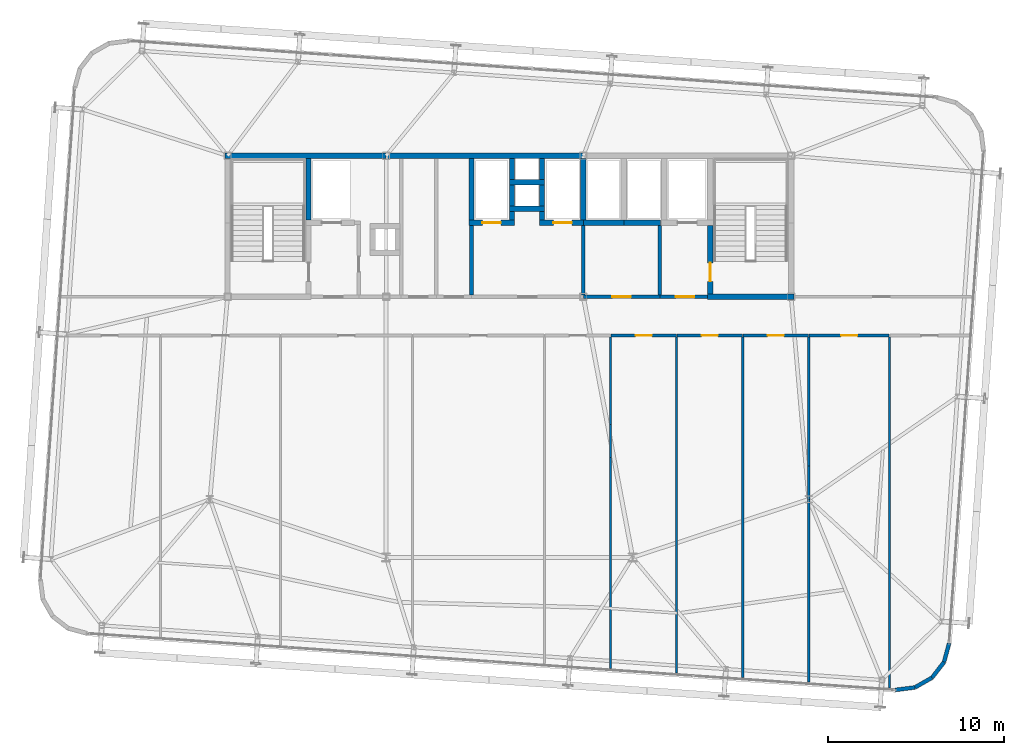
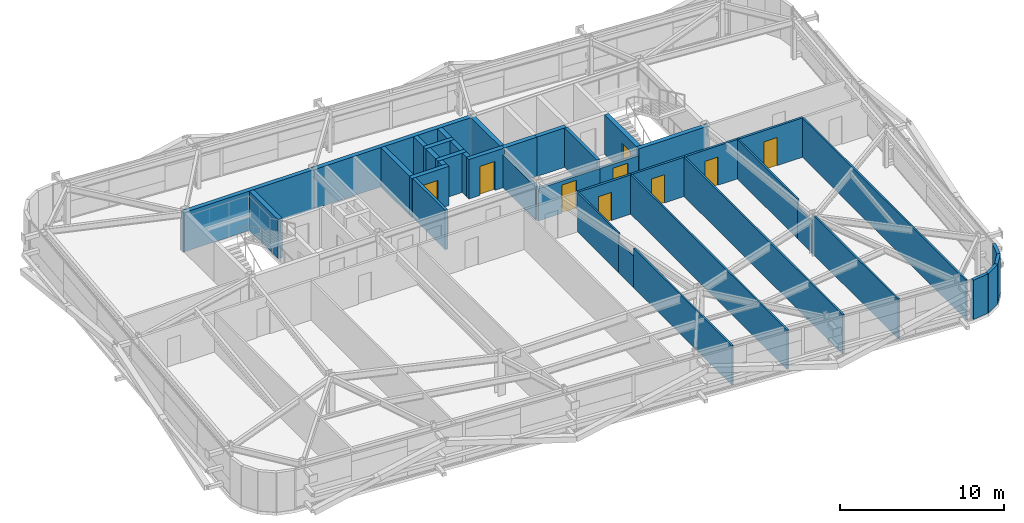
# One storey, part 36 of 39: 41 walls, 9 doors, 9 openings.
"""IFC4 building model written with IfcOpenShell, lengths in metres."""

from ifc_helpers import new_model, si_unit, direction, frame, frame_2d, origin, place, context, subcontext, project, spatial, rectangle, extrude, source, transform, mapped, material, layer, layer_set, type_object, element, fill, save


model = new_model("IFC4")

# Units and contexts
model_context = context("Model", 3, precision=1e-05, world=origin(), true_north=direction((0.0, 1.0)))
body_context = subcontext(model_context, "Body", "Model", "MODEL_VIEW")
ifc_project = project(units=[si_unit("LENGTHUNIT", "METRE"), si_unit("AREAUNIT", "SQUARE_METRE"), si_unit("VOLUMEUNIT", "CUBIC_METRE"), si_unit("PLANEANGLEUNIT", "RADIAN"), si_unit("MASSUNIT", "GRAM", prefix="KILO")], contexts=[model_context])

# Site, building, storey
site_placement = place(None, origin())
site = spatial("IfcSite", under=ifc_project, at=site_placement, CompositionType="ELEMENT")
building_placement = place(site_placement, origin())
building = spatial("IfcBuilding", under=site, at=building_placement, Name="Taldren Reach Tower", CompositionType="ELEMENT")
storey_placement = place(building_placement, frame((0.0, 0.0, 133.0)))
storey = spatial("IfcBuildingStorey", under=building, at=storey_placement, Name="L40", CompositionType="ELEMENT", Elevation=133.0)

# Walls
ifc_material_1 = material(Name="Pale Champagne Anodised Aluminium Cladding", Category="aluminium")
ifc_layer_1 = layer(ifc_material_1, 0.04, Name="Pale Champagne Anodised Aluminium Cladding", Category="aluminium")
ifc_material_2 = material(Name="Mineral Wool Acoustic Insulation", Category="insulation")
ifc_layer_2 = layer(ifc_material_2, 0.06, Name="Mineral Wool Acoustic Insulation", Category="insulation")
ifc_material_3 = material(Name="Steel Gr 350 (C350L0)", Category="steel")
ifc_layer_3 = layer(ifc_material_3, 0.12, Name="Steel Gr 350 (C350L0)", Category="steel")
ifc_layer_set_1 = layer_set([ifc_layer_1, ifc_layer_2, ifc_layer_3], Name="Pale Champagne Aluminium Cladding and Steel Gr 350 Stud Framing")
wall_type_1 = type_object("IfcWallType", Name="EW-CRN-220", PredefinedType="SOLIDWALL", material=ifc_layer_set_1)
shared_shape_1 = source(origin(), body_context, "Body", "SweptSolid", [
    extrude(rectangle(XDim=1.115966796875, YDim=0.219970703125, at=frame_2d((0.55810546875, 0.0))), origin(), (0.0, 0.0, 1.0), 2.929931640625),
])
for number, where, z_axis, x_axis, name in (
    (1, (58.02490234375, 1.8173828125, 0.0), (0.0, 0.0, 1.0), (0.868095010314, 0.496398079235, 0.0), "Rounded-corner pale-metal facade wall L40-SE2"),
    (2, (58.99365234375, 2.371337890625, 0.0), (0.0, 0.0, 1.0), (0.612318787668, 0.790610967714, 0.0), "Rounded-corner pale-metal facade wall L40-SE3"),
    (3, (59.677001953125, 3.253662109375, 0.0), (0.0, 0.0, 1.0), (0.262969307856, 0.964804199372, 0.0), "Rounded-corner pale-metal facade wall L40-SE4"),
):
    element("IfcWall", number, at=place(storey_placement, frame(where, z_axis=z_axis, x_axis=x_axis)), inside=storey, type_object=wall_type_1, Name=name, PredefinedType="SOLIDWALL", context=body_context, shape_type="MappedRepresentation", body=[
        mapped(shared_shape_1, transform((0.0, 0.0, 0.0), scale=1.0)),
    ])
shared_shape_2 = source(origin(), body_context, "Body", "SweptSolid", [
    extrude(rectangle(XDim=1.11572265625, YDim=0.219970703125, at=frame_2d((0.557861328125, 0.0))), origin(), (0.0, 0.0, 1.0), 2.929931640625),
])
wall_1_placement = place(storey_placement, frame((56.91796875, 1.6767578125, 0.0), z_axis=(0.0, 0.0, 1.0), x_axis=(0.99202678349, 0.126027222605, 0.0)))
element("IfcWall", 4, at=wall_1_placement, inside=storey, type_object=wall_type_1, Name="Rounded-corner pale-metal facade wall L40-SE1", PredefinedType="SOLIDWALL", context=body_context, shape_type="MappedRepresentation", body=[
    mapped(shared_shape_2, transform((0.0, 0.0, 0.0), scale=1.0)),
])

# Wall, opening, door
ifc_material_4 = material(Name="Concrete S50 (50 MPa)", Category="concrete")
ifc_layer_4 = layer(ifc_material_4, 0.199951171875)
ifc_layer_set_2 = layer_set([ifc_layer_4], Name="Concrete S50 (50 MPa)")
wall_type_2 = type_object("IfcWallType", Name="IW-CORE-200", PredefinedType="SOLIDWALL", material=ifc_layer_set_2)
shared_shape_3 = source(origin(), body_context, "Body", "SweptSolid", [
    extrude(rectangle(XDim=4.35009765625, YDim=0.199951171875, at=frame_2d((2.175048828125, 0.0))), origin(), (0.0, 0.0, 1.0), 2.39697265625),
])
wall_2_placement = place(storey_placement, frame((43.550048828125, 24.0, 0.0), z_axis=(0.0, 0.0, 1.0), x_axis=(-1.0, 0.0, 0.0)))
wall_2 = element("IfcWall", 5, at=wall_2_placement, inside=storey, type_object=wall_type_2, Name="Rear Core Shear Wall W-INT-L40-041", PredefinedType="SOLIDWALL", context=body_context, shape_type="MappedRepresentation", body=[
    mapped(shared_shape_3, transform((0.0, 0.0, 0.0), scale=1.0)),
])
shared_shape_4 = source(origin(), body_context, "Body", "SweptSolid", [
    extrude(rectangle(XDim=1.050048828125, YDim=2.10009765625, at=frame_2d((0.52490234375, 1.050048828125))), frame((0.0, 0.10986328125, 0.0), z_axis=(0.0, -1.0, 0.0), x_axis=(1.0, 0.0, 0.0)), (0.0, 0.0, 1.0), 0.219970703125),
])
opening_1_placement = place(wall_2_placement, frame((1.64990234375, 0.0, 0.0)))
opening_1 = element("IfcOpeningElement", 6, at=opening_1_placement, cuts=wall_2, Name="Opening DF-105", PredefinedType="OPENING", context=body_context, shape_type="MappedRepresentation", body=[
    mapped(shared_shape_4, transform((0.0, 0.0, 0.0), scale=1.0)),
])
ifc_material_5 = material(Name="Fire-Rated Care and Stair Exit Door")
door_type_1 = type_object("IfcDoorType", Name="ID-FIRE-105", OperationType="NOTDEFINED", PredefinedType="DOOR", material=ifc_material_5)
shared_shape_5 = source(origin(), body_context, "Body", "SweptSolid", [
    extrude(rectangle(XDim=1.050048828125, YDim=2.10009765625, at=frame_2d((0.52490234375, 1.050048828125))), frame((0.0, 0.02490234375, 0.0), z_axis=(0.0, -1.0, 0.0), x_axis=(1.0, 0.0, 0.0)), (0.0, 0.0, 1.0), 0.050048828125),
])
door_1_placement = place(opening_1_placement, frame((1.050048828125, 0.0, 0.0), z_axis=(0.0, 0.0, 1.0), x_axis=(-1.0, 0.0, 0.0)))
door_1 = element("IfcDoor", 7, at=door_1_placement, inside=storey, type_object=door_type_1, Name="Interior Door DR-L40-008", OperationType="SINGLE_SWING_RIGHT", OverallHeight=2.10009765625, OverallWidth=1.050048828125, PredefinedType="DOOR", context=body_context, shape_type="MappedRepresentation", body=[
    mapped(shared_shape_5, transform((0.0, 0.0, 0.0), scale=1.0)),
])
fill(opening_1, door_1)

# Walls
ifc_material_6 = material(Name="Concrete S65 (65 MPa)", Category="concrete")
ifc_layer_5 = layer(ifc_material_6, 0.300048828125)
ifc_layer_set_3 = layer_set([ifc_layer_5], Name="Concrete S65 (65 MPa)")
wall_type_3 = type_object("IfcWallType", Name="IW-CORE-300", PredefinedType="SHEAR", material=ifc_layer_set_3)
shared_shape_6 = source(origin(), body_context, "Body", "SweptSolid", [
    extrude(rectangle(XDim=9.14990234375, YDim=0.300048828125, at=frame_2d((4.574951171875, 0.0))), origin(), (0.0, 0.0, 1.0), 2.929931640625),
])
wall_3_placement = place(storey_placement, frame((18.85009765625, 32.0, 0.0), z_axis=(0.0, 0.0, 1.0), x_axis=(1.0, 0.0, 0.0)))
element("IfcWall", 8, at=wall_3_placement, inside=storey, type_object=wall_type_3, Name="Rear Core Shear Wall W-CORE-L40-NORTH1", PredefinedType="SHEAR", context=body_context, shape_type="MappedRepresentation", body=[
    mapped(shared_shape_6, transform((0.0, 0.0, 0.0), scale=1.0)),
])
shared_shape_7 = source(origin(), body_context, "Body", "SweptSolid", [
    extrude(rectangle(XDim=11.199951171875, YDim=0.300048828125, at=frame_2d((5.60009765625, 0.0))), origin(), (0.0, 0.0, 1.0), 2.929931640625),
])
wall_4_placement = place(storey_placement, frame((28.0, 32.0, 0.0), z_axis=(0.0, 0.0, 1.0), x_axis=(1.0, 0.0, 0.0)))
element("IfcWall", 9, at=wall_4_placement, inside=storey, type_object=wall_type_3, Name="Rear Core Shear Wall W-CORE-L40-NORTH2", PredefinedType="SHEAR", context=body_context, shape_type="MappedRepresentation", body=[
    mapped(shared_shape_7, transform((0.0, 0.0, 0.0), scale=1.0)),
])
shared_shape_8 = source(origin(), body_context, "Body", "SweptSolid", [
    extrude(rectangle(XDim=3.5, YDim=0.300048828125, at=frame_2d((1.75, 0.0))), origin(), (0.0, 0.0, 1.0), 2.929931640625),
])
for number, where, z_axis, x_axis, name in (
    (10, (23.60009765625, 28.35009765625, 0.0), (0.0, 0.0, 1.0), (0.0, 1.0, 0.0), "Rear Core Shear Wall W-INT-L40-001"),
    (11, (32.85009765625, 31.85009765625, 0.0), (0.0, 0.0, 1.0), (0.0, -1.0, 0.0), "Rear Core Shear Wall W-INT-L40-026"),
    (12, (39.199951171875, 28.35009765625, 0.0), (0.0, 0.0, 1.0), (0.0, 1.0, 0.0), "Rear Core Shear Wall W-INT-L40-029"),
):
    element("IfcWall", number, at=place(storey_placement, frame(where, z_axis=z_axis, x_axis=x_axis)), inside=storey, type_object=wall_type_3, Name=name, PredefinedType="SHEAR", context=body_context, shape_type="MappedRepresentation", body=[
        mapped(shared_shape_8, transform((0.0, 0.0, 0.0), scale=1.0)),
    ])

# Wall, opening, door
shared_shape_9 = source(origin(), body_context, "Body", "SweptSolid", [
    extrude(rectangle(XDim=3.900146484375, YDim=0.300048828125, at=frame_2d((1.9501953125, 0.0))), origin(), (0.0, 0.0, 1.0), 2.929931640625),
])
wall_5_placement = place(storey_placement, frame((46.39990234375, 28.050048828125, 0.0), z_axis=(0.0, 0.0, 1.0), x_axis=(0.0, -1.0, 0.0)))
wall_5 = element("IfcWall", 13, at=wall_5_placement, inside=storey, type_object=wall_type_3, Name="Rear Core Shear Wall W-INT-L40-008", PredefinedType="SHEAR", context=body_context, shape_type="MappedRepresentation", body=[
    mapped(shared_shape_9, transform((0.0, 0.0, 0.0), scale=1.0)),
])
shared_shape_10 = source(origin(), body_context, "Body", "SweptSolid", [
    extrude(rectangle(XDim=1.050048828125, YDim=2.10009765625, at=frame_2d((0.52490234375, 1.050048828125))), frame((0.0, 0.16015625, 0.0), z_axis=(0.0, -1.0, 0.0), x_axis=(1.0, 0.0, 0.0)), (0.0, 0.0, 1.0), 0.320068359375),
])
opening_2_placement = place(wall_5_placement, frame((2.125, 0.0, 0.0)))
opening_2 = element("IfcOpeningElement", 14, at=opening_2_placement, cuts=wall_5, Name="Opening DF-105", PredefinedType="OPENING", context=body_context, shape_type="MappedRepresentation", body=[
    mapped(shared_shape_10, transform((0.0, 0.0, 0.0), scale=1.0)),
])
door_2_placement = place(opening_2_placement, origin())
door_2 = element("IfcDoor", 15, at=door_2_placement, inside=storey, type_object=door_type_1, Name="Fire Exit Stair Door DR-L40-003", OperationType="SINGLE_SWING_RIGHT", OverallHeight=2.10009765625, OverallWidth=1.050048828125, PredefinedType="DOOR", context=body_context, shape_type="MappedRepresentation", body=[
    mapped(shared_shape_5, transform((0.0, 0.0, 0.0), scale=1.0)),
])
fill(opening_2, door_2)

# Walls
shared_shape_11 = source(origin(), body_context, "Body", "SweptSolid", [
    extrude(rectangle(XDim=4.89990234375, YDim=0.300048828125, at=frame_2d((2.449951171875, 0.0))), origin(), (0.0, 0.0, 1.0), 2.929931640625),
])
wall_6_placement = place(storey_placement, frame((46.25, 24.0, 0.0), z_axis=(0.0, 0.0, 1.0), x_axis=(1.0, 0.0, 0.0)))
element("IfcWall", 16, at=wall_6_placement, inside=storey, type_object=wall_type_3, Name="Rear Core Shear Wall W-INT-L40-009", PredefinedType="SHEAR", context=body_context, shape_type="MappedRepresentation", body=[
    mapped(shared_shape_11, transform((0.0, 0.0, 0.0), scale=1.0)),
])
shared_shape_12 = source(origin(), body_context, "Body", "SweptSolid", [
    extrude(rectangle(XDim=3.949951171875, YDim=0.199951171875, at=frame_2d((1.97509765625, 0.0))), origin(), (0.0, 0.0, 1.0), 2.929931640625),
])
for number, where, z_axis, x_axis, name in (
    (17, (43.550048828125, 28.050048828125, 0.0), (0.0, 0.0, 1.0), (0.0, -1.0, 0.0), "Rear Core Shear Wall W-INT-L40-012"),
    (18, (32.85009765625, 24.10009765625, 0.0), (0.0, 0.0, 1.0), (0.0, 1.0, 0.0), "Rear Core Shear Wall W-INT-L40-030"),
):
    element("IfcWall", number, at=place(storey_placement, frame(where, z_axis=z_axis, x_axis=x_axis)), inside=storey, type_object=wall_type_2, Name=name, PredefinedType="SOLIDWALL", context=body_context, shape_type="MappedRepresentation", body=[
        mapped(shared_shape_12, transform((0.0, 0.0, 0.0), scale=1.0)),
    ])

# Wall, opening, door
shared_shape_13 = source(origin(), body_context, "Body", "SweptSolid", [
    extrude(rectangle(XDim=2.699951171875, YDim=0.199951171875, at=frame_2d((1.35009765625, 0.0))), origin(), (0.0, 0.0, 1.0), 2.39697265625),
])
wall_7_placement = place(storey_placement, frame((43.550048828125, 24.0, 0.0), z_axis=(0.0, 0.0, 1.0), x_axis=(1.0, 0.0, 0.0)))
wall_7 = element("IfcWall", 19, at=wall_7_placement, inside=storey, type_object=wall_type_2, Name="Rear Core Shear Wall W-INT-L40-013", PredefinedType="SOLIDWALL", context=body_context, shape_type="MappedRepresentation", body=[
    mapped(shared_shape_13, transform((0.0, 0.0, 0.0), scale=1.0)),
])
opening_3_placement = place(wall_7_placement, frame((0.89990234375, 0.0, 0.0)))
opening_3 = element("IfcOpeningElement", 20, at=opening_3_placement, cuts=wall_7, Name="Opening DF-105", PredefinedType="OPENING", context=body_context, shape_type="MappedRepresentation", body=[
    mapped(shared_shape_4, transform((0.0, 0.0, 0.0), scale=1.0)),
])
door_3_placement = place(opening_3_placement, origin())
door_3 = element("IfcDoor", 21, at=door_3_placement, inside=storey, type_object=door_type_1, Name="Interior Door DR-L40-004", OperationType="SINGLE_SWING_LEFT", OverallHeight=2.10009765625, OverallWidth=1.050048828125, PredefinedType="DOOR", context=body_context, shape_type="MappedRepresentation", body=[
    mapped(shared_shape_5, transform((0.0, 0.0, 0.0), scale=1.0)),
])
fill(opening_3, door_3)

# Walls
shared_shape_14 = source(origin(), body_context, "Body", "SweptSolid", [
    extrude(rectangle(XDim=2.0, YDim=0.300048828125, at=frame_2d((1.0, 0.0))), origin(), (0.0, 0.0, 1.0), 2.929931640625),
])
for number, where, z_axis, x_axis, name in (
    (22, (35.0, 30.5, 0.0), (0.0, 0.0, 1.0), (1.0, 0.0, 0.0), "Rear Core Shear Wall W-INT-L40-014"),
    (23, (35.0, 29.0, 0.0), (0.0, 0.0, 1.0), (1.0, 0.0, 0.0), "Rear Core Shear Wall W-INT-L40-019"),
):
    element("IfcWall", number, at=place(storey_placement, frame(where, z_axis=z_axis, x_axis=x_axis)), inside=storey, type_object=wall_type_3, Name=name, PredefinedType="SHEAR", context=body_context, shape_type="MappedRepresentation", body=[
        mapped(shared_shape_14, transform((0.0, 0.0, 0.0), scale=1.0)),
    ])
shared_shape_15 = source(origin(), body_context, "Body", "SweptSolid", [
    extrude(rectangle(XDim=1.2001953125, YDim=0.300048828125, at=frame_2d((0.60009765625, 0.0))), origin(), (0.0, 0.0, 1.0), 2.929931640625),
])
for number, where, z_axis, x_axis, name in (
    (24, (35.14990234375, 31.85009765625, 0.0), (0.0, 0.0, 1.0), (0.0, -1.0, 0.0), "Rear Core Shear Wall W-INT-L40-015"),
    (25, (36.85009765625, 30.64990234375, 0.0), (0.0, 0.0, 1.0), (0.0, 1.0, 0.0), "Rear Core Shear Wall W-INT-L40-016"),
    (26, (35.14990234375, 30.35009765625, 0.0), (0.0, 0.0, 1.0), (0.0, -1.0, 0.0), "Rear Core Shear Wall W-INT-L40-017"),
    (27, (36.85009765625, 29.14990234375, 0.0), (0.0, 0.0, 1.0), (0.0, 1.0, 0.0), "Rear Core Shear Wall W-INT-L40-018"),
):
    element("IfcWall", number, at=place(storey_placement, frame(where, z_axis=z_axis, x_axis=x_axis)), inside=storey, type_object=wall_type_3, Name=name, PredefinedType="SHEAR", context=body_context, shape_type="MappedRepresentation", body=[
        mapped(shared_shape_15, transform((0.0, 0.0, 0.0), scale=1.0)),
    ])
shared_shape_16 = source(origin(), body_context, "Body", "SweptSolid", [
    extrude(rectangle(XDim=2.070068359375, YDim=0.300048828125, at=frame_2d((1.03515625, 0.0))), origin(), (0.0, 0.0, 1.0), 2.929931640625),
])
wall_8_placement = place(storey_placement, frame((41.5, 28.199951171875, 0.0), z_axis=(0.0, 0.0, 1.0), x_axis=(1.0, 0.0, 0.0)))
element("IfcWall", 28, at=wall_8_placement, inside=storey, type_object=wall_type_3, Name="Rear Core Shear Wall W-INT-L40-035", PredefinedType="SHEAR", context=body_context, shape_type="MappedRepresentation", body=[
    mapped(shared_shape_16, transform((0.0, 0.0, 0.0), scale=1.0)),
])
shared_shape_17 = source(origin(), body_context, "Body", "SweptSolid", [
    extrude(rectangle(XDim=0.5, YDim=0.300048828125, at=frame_2d((0.25, 0.0))), origin(), (0.0, 0.0, 1.0), 2.929931640625),
])
for number, where, z_axis, x_axis, name in (
    (29, (35.14990234375, 28.35009765625, 0.0), (0.0, 0.0, 1.0), (0.0, 1.0, 0.0), "Rear Core Shear Wall W-INT-L40-025"),
    (30, (36.85009765625, 28.85009765625, 0.0), (0.0, 0.0, 1.0), (0.0, -1.0, 0.0), "Rear Core Shear Wall W-INT-L40-028"),
):
    element("IfcWall", number, at=place(storey_placement, frame(where, z_axis=z_axis, x_axis=x_axis)), inside=storey, type_object=wall_type_3, Name=name, PredefinedType="SHEAR", context=body_context, shape_type="MappedRepresentation", body=[
        mapped(shared_shape_17, transform((0.0, 0.0, 0.0), scale=1.0)),
    ])

# Wall, opening, door
shared_shape_18 = source(origin(), body_context, "Body", "SweptSolid", [
    extrude(rectangle(XDim=2.60009765625, YDim=0.300048828125, at=frame_2d((1.300048828125, 0.0))), origin(), (0.0, 0.0, 1.0), 2.929931640625),
])
wall_9_placement = place(storey_placement, frame((32.699951171875, 28.199951171875, 0.0), z_axis=(0.0, 0.0, 1.0), x_axis=(1.0, 0.0, 0.0)))
wall_9 = element("IfcWall", 31, at=wall_9_placement, inside=storey, type_object=wall_type_3, Name="Rear Core Shear Wall W-INT-L40-024", PredefinedType="SHEAR", context=body_context, shape_type="MappedRepresentation", body=[
    mapped(shared_shape_18, transform((0.0, 0.0, 0.0), scale=1.0)),
])
shared_shape_19 = source(origin(), body_context, "Body", "SweptSolid", [
    extrude(rectangle(XDim=1.050048828125, YDim=2.14990234375, at=frame_2d((0.52490234375, 1.074951171875))), frame((0.0, 0.16015625, 0.0), z_axis=(0.0, -1.0, 0.0), x_axis=(1.0, 0.0, 0.0)), (0.0, 0.0, 1.0), 0.320068359375),
])
opening_4_placement = place(wall_9_placement, frame((0.77490234375, 0.0, 0.0)))
opening_4 = element("IfcOpeningElement", 32, at=opening_4_placement, cuts=wall_9, Name="Opening LD-PM1", PredefinedType="OPENING", context=body_context, shape_type="MappedRepresentation", body=[
    mapped(shared_shape_19, transform((0.0, 0.0, 0.0), scale=1.0)),
])
ifc_material_7 = material(Name="Stainless Steel Gr 316 Passenger Lift Landing Door", Category="steel")
door_type_2 = type_object("IfcDoorType", Name="LD-PAS-105", OperationType="SLIDING_TO_LEFT", PredefinedType="DOOR", material=ifc_material_7)
shared_shape_20 = source(origin(), body_context, "Body", "SweptSolid", [
    extrude(rectangle(XDim=1.050048828125, YDim=2.14990234375, at=frame_2d((0.52490234375, 1.074951171875))), frame((0.0, 0.02490234375, 0.0), z_axis=(0.0, -1.0, 0.0), x_axis=(1.0, 0.0, 0.0)), (0.0, 0.0, 1.0), 0.050048828125),
])
door_4_placement = place(opening_4_placement, origin())
door_4 = element("IfcDoor", 33, at=door_4_placement, inside=storey, type_object=door_type_2, Name="Lift Landing Door LD-PM1-L40", OperationType="SLIDING_TO_LEFT", OverallHeight=2.14990234375, OverallWidth=1.050048828125, PredefinedType="DOOR", context=body_context, shape_type="MappedRepresentation", body=[
    mapped(shared_shape_20, transform((0.0, 0.0, 0.0), scale=1.0)),
])
fill(opening_4, door_4)

ifc_material_8 = material(Name="Fire-Rated Acoustic Plasterboard Stud Wall", Category="gypsum")
ifc_layer_6 = layer(ifc_material_8, 0.159912109375)
ifc_layer_set_4 = layer_set([ifc_layer_6], Name="Fire-Rated Acoustic Plasterboard Stud Wall")
wall_type_4 = type_object("IfcWallType", Name="IW-FIRE-160", PredefinedType="PARTITIONING", material=ifc_layer_set_4)
shared_shape_21 = source(origin(), body_context, "Body", "SweptSolid", [
    extrude(rectangle(XDim=3.70947265625, YDim=0.159912109375, at=frame_2d((1.854736328125, 0.0))), origin(), (0.0, 0.0, 1.0), 2.929931640625),
])
wall_10_placement = place(storey_placement, frame((44.479736328125, 21.800048828125, 0.0), z_axis=(0.0, 0.0, 1.0), x_axis=(-1.0, 0.0, 0.0)))
wall_10 = element("IfcWall", 34, at=wall_10_placement, inside=storey, type_object=wall_type_4, Name="Interior Partition Wall W-INT-L40-047", PredefinedType="PARTITIONING", context=body_context, shape_type="MappedRepresentation", body=[
    mapped(shared_shape_21, transform((0.0, 0.0, 0.0), scale=1.0)),
])
shared_shape_22 = source(origin(), body_context, "Body", "SweptSolid", [
    extrude(rectangle(XDim=0.919921875, YDim=2.10009765625, at=frame_2d((0.4599609375, 1.050048828125))), frame((0.0, 0.08984375, 0.0), z_axis=(0.0, -1.0, 0.0), x_axis=(1.0, 0.0, 0.0)), (0.0, 0.0, 1.0), 0.179931640625),
])
opening_5_placement = place(wall_10_placement, frame((1.394775390625, 0.0, 0.0)))
opening_5 = element("IfcOpeningElement", 35, at=opening_5_placement, cuts=wall_10, Name="Opening DI-092", PredefinedType="OPENING", context=body_context, shape_type="MappedRepresentation", body=[
    mapped(shared_shape_22, transform((0.0, 0.0, 0.0), scale=1.0)),
])
ifc_material_9 = material(Name="Solid-Core Timber Suite Door", Category="wood")
door_type_3 = type_object("IfcDoorType", Name="ID-INT-092", OperationType="NOTDEFINED", PredefinedType="DOOR", material=ifc_material_9)
shared_shape_23 = source(origin(), body_context, "Body", "SweptSolid", [
    extrude(rectangle(XDim=0.919921875, YDim=2.10009765625, at=frame_2d((0.4599609375, 1.050048828125))), frame((0.0, 0.02490234375, 0.0), z_axis=(0.0, -1.0, 0.0), x_axis=(1.0, 0.0, 0.0)), (0.0, 0.0, 1.0), 0.050048828125),
])
door_5_placement = place(opening_5_placement, origin())
door_5 = element("IfcDoor", 36, at=door_5_placement, inside=storey, type_object=door_type_3, Name="Interior Door DR-L40-014", OperationType="SINGLE_SWING_LEFT", OverallHeight=2.10009765625, OverallWidth=0.919921875, PredefinedType="DOOR", context=body_context, shape_type="MappedRepresentation", body=[
    mapped(shared_shape_23, transform((0.0, 0.0, 0.0), scale=1.0)),
])
fill(opening_5, door_5)

wall_11_placement = place(storey_placement, frame((48.229736328125, 21.800048828125, 0.0), z_axis=(0.0, 0.0, 1.0), x_axis=(-1.0, 0.0, 0.0)))
wall_11 = element("IfcWall", 37, at=wall_11_placement, inside=storey, type_object=wall_type_4, Name="Interior Partition Wall W-INT-L40-048", PredefinedType="PARTITIONING", context=body_context, shape_type="MappedRepresentation", body=[
    mapped(shared_shape_21, transform((0.0, 0.0, 0.0), scale=1.0)),
])
opening_6_placement = place(wall_11_placement, frame((1.394775390625, 0.0, 0.0)))
opening_6 = element("IfcOpeningElement", 38, at=opening_6_placement, cuts=wall_11, Name="Opening DI-092", PredefinedType="OPENING", context=body_context, shape_type="MappedRepresentation", body=[
    mapped(shared_shape_22, transform((0.0, 0.0, 0.0), scale=1.0)),
])
door_6_placement = place(opening_6_placement, origin())
door_6 = element("IfcDoor", 39, at=door_6_placement, inside=storey, type_object=door_type_3, Name="Interior Door DR-L40-015", OperationType="SINGLE_SWING_RIGHT", OverallHeight=2.10009765625, OverallWidth=0.919921875, PredefinedType="DOOR", context=body_context, shape_type="MappedRepresentation", body=[
    mapped(shared_shape_23, transform((0.0, 0.0, 0.0), scale=1.0)),
])
fill(opening_6, door_6)

wall_12_placement = place(storey_placement, frame((51.979736328125, 21.800048828125, 0.0), z_axis=(0.0, 0.0, 1.0), x_axis=(-1.0, 0.0, 0.0)))
wall_12 = element("IfcWall", 40, at=wall_12_placement, inside=storey, type_object=wall_type_4, Name="Interior Partition Wall W-INT-L40-049", PredefinedType="PARTITIONING", context=body_context, shape_type="MappedRepresentation", body=[
    mapped(shared_shape_21, transform((0.0, 0.0, 0.0), scale=1.0)),
])
opening_7_placement = place(wall_12_placement, frame((1.394775390625, 0.0, 0.0)))
opening_7 = element("IfcOpeningElement", 41, at=opening_7_placement, cuts=wall_12, Name="Opening DI-092", PredefinedType="OPENING", context=body_context, shape_type="MappedRepresentation", body=[
    mapped(shared_shape_22, transform((0.0, 0.0, 0.0), scale=1.0)),
])
door_7_placement = place(opening_7_placement, origin())
door_7 = element("IfcDoor", 42, at=door_7_placement, inside=storey, type_object=door_type_3, Name="Interior Door DR-L40-016", OperationType="SINGLE_SWING_LEFT", OverallHeight=2.10009765625, OverallWidth=0.919921875, PredefinedType="DOOR", context=body_context, shape_type="MappedRepresentation", body=[
    mapped(shared_shape_23, transform((0.0, 0.0, 0.0), scale=1.0)),
])
fill(opening_7, door_7)

shared_shape_24 = source(origin(), body_context, "Body", "SweptSolid", [
    extrude(rectangle(XDim=2.5, YDim=0.300048828125, at=frame_2d((1.25, 0.0))), origin(), (0.0, 0.0, 1.0), 2.929931640625),
])
wall_13_placement = place(storey_placement, frame((36.699951171875, 28.199951171875, 0.0), z_axis=(0.0, 0.0, 1.0), x_axis=(1.0, 0.0, 0.0)))
wall_13 = element("IfcWall", 43, at=wall_13_placement, inside=storey, type_object=wall_type_3, Name="Rear Core Shear Wall W-INT-L40-027", PredefinedType="SHEAR", context=body_context, shape_type="MappedRepresentation", body=[
    mapped(shared_shape_24, transform((0.0, 0.0, 0.0), scale=1.0)),
])
opening_8_placement = place(wall_13_placement, frame((0.794921875, 0.0, 0.0)))
opening_8 = element("IfcOpeningElement", 44, at=opening_8_placement, cuts=wall_13, Name="Opening LD-PM2", PredefinedType="OPENING", context=body_context, shape_type="MappedRepresentation", body=[
    mapped(shared_shape_19, transform((0.0, 0.0, 0.0), scale=1.0)),
])
door_8_placement = place(opening_8_placement, origin())
door_8 = element("IfcDoor", 45, at=door_8_placement, inside=storey, type_object=door_type_2, Name="Lift Landing Door LD-PM2-L40", OperationType="SLIDING_TO_LEFT", OverallHeight=2.14990234375, OverallWidth=1.050048828125, PredefinedType="DOOR", context=body_context, shape_type="MappedRepresentation", body=[
    mapped(shared_shape_20, transform((0.0, 0.0, 0.0), scale=1.0)),
])
fill(opening_8, door_8)

# Walls
shared_shape_25 = source(origin(), body_context, "Body", "SweptSolid", [
    extrude(rectangle(XDim=3.949951171875, YDim=0.199951171875, at=frame_2d((1.97509765625, 0.0))), origin(), (0.0, 0.0, 1.0), 2.469970703125),
])
wall_14_placement = place(storey_placement, frame((39.199951171875, 28.050048828125, 0.0), z_axis=(0.0, 0.0, 1.0), x_axis=(0.0, -1.0, 0.0)))
element("IfcWall", 46, at=wall_14_placement, inside=storey, type_object=wall_type_2, Name="Rear Core Shear Wall W-INT-L40-031", PredefinedType="SOLIDWALL", context=body_context, shape_type="MappedRepresentation", body=[
    mapped(shared_shape_25, transform((0.0, 0.0, 0.0), scale=1.0)),
])
shared_shape_26 = source(origin(), body_context, "Body", "SweptSolid", [
    extrude(rectangle(XDim=2.300048828125, YDim=0.300048828125, at=frame_2d((1.14990234375, 0.0))), origin(), (0.0, 0.0, 1.0), 2.929931640625),
])
wall_15_placement = place(storey_placement, frame((39.199951171875, 28.199951171875, 0.0), z_axis=(0.0, 0.0, 1.0), x_axis=(1.0, 0.0, 0.0)))
element("IfcWall", 47, at=wall_15_placement, inside=storey, type_object=wall_type_3, Name="Rear Core Shear Wall W-INT-L40-034", PredefinedType="SHEAR", context=body_context, shape_type="MappedRepresentation", body=[
    mapped(shared_shape_26, transform((0.0, 0.0, 0.0), scale=1.0)),
])
ifc_material_10 = material(Name="Insulated Residential Stud Partition", Category="gypsum")
ifc_layer_7 = layer(ifc_material_10, 0.1201171875)
ifc_layer_set_5 = layer_set([ifc_layer_7], Name="Insulated Residential Stud Partition")
wall_type_5 = type_object("IfcWallType", Name="IW-PART-120", PredefinedType="PARTITIONING", material=ifc_layer_set_5)
shared_shape_27 = source(origin(), body_context, "Body", "SweptSolid", [
    extrude(rectangle(XDim=1.9013671875, YDim=0.1201171875, at=frame_2d((0.95068359375, 0.0))), origin(), (0.0, 0.0, 1.0), 2.39697265625),
])
wall_16_placement = place(storey_placement, frame((52.0, 14.396240234375, 0.0), z_axis=(0.0, 0.0, 1.0), x_axis=(0.0, -1.0, 0.0)))
element("IfcWall", 48, at=wall_16_placement, inside=storey, type_object=wall_type_5, Name="Interior Partition Wall W-INT-L40-061 part 2", PredefinedType="PARTITIONING", context=body_context, shape_type="MappedRepresentation", body=[
    mapped(shared_shape_27, transform((0.0, 0.0, 0.0), scale=1.0)),
])

# Wall, opening, door
shared_shape_28 = source(origin(), body_context, "Body", "SweptSolid", [
    extrude(rectangle(XDim=4.54736328125, YDim=0.159912109375, at=frame_2d((2.273681640625, 0.0))), origin(), (0.0, 0.0, 1.0), 2.929931640625),
])
wall_17_placement = place(storey_placement, frame((56.56787109375, 21.800048828125, 0.0), z_axis=(0.0, 0.0, 1.0), x_axis=(-1.0, 0.0, 0.0)))
wall_17 = element("IfcWall", 49, at=wall_17_placement, inside=storey, type_object=wall_type_4, Name="Interior Partition Wall W-INT-L40-050", PredefinedType="PARTITIONING", context=body_context, shape_type="MappedRepresentation", body=[
    mapped(shared_shape_28, transform((0.0, 0.0, 0.0), scale=1.0)),
])
opening_9_placement = place(wall_17_placement, frame((1.813720703125, 0.0, 0.0)))
opening_9 = element("IfcOpeningElement", 50, at=opening_9_placement, cuts=wall_17, Name="Opening DI-092", PredefinedType="OPENING", context=body_context, shape_type="MappedRepresentation", body=[
    mapped(shared_shape_22, transform((0.0, 0.0, 0.0), scale=1.0)),
])
door_9_placement = place(opening_9_placement, origin())
door_9 = element("IfcDoor", 51, at=door_9_placement, inside=storey, type_object=door_type_3, Name="Interior Door DR-L40-017", OperationType="SINGLE_SWING_RIGHT", OverallHeight=2.10009765625, OverallWidth=0.919921875, PredefinedType="DOOR", context=body_context, shape_type="MappedRepresentation", body=[
    mapped(shared_shape_23, transform((0.0, 0.0, 0.0), scale=1.0)),
])
fill(opening_9, door_9)

# Walls
shared_shape_29 = source(origin(), body_context, "Body", "SweptSolid", [
    extrude(rectangle(XDim=4.982421875, YDim=0.1201171875, at=frame_2d((2.4912109375, 0.0))), origin(), (0.0, 0.0, 1.0), 2.929931640625),
])
wall_18_placement = place(storey_placement, frame((40.75, 21.719970703125, 0.0), z_axis=(0.0, 0.0, 1.0), x_axis=(0.0, -1.0, 0.0)))
element("IfcWall", 52, at=wall_18_placement, inside=storey, type_object=wall_type_5, Name="Interior Partition Wall W-INT-L40-058", PredefinedType="PARTITIONING", context=body_context, shape_type="MappedRepresentation", body=[
    mapped(shared_shape_29, transform((0.0, 0.0, 0.0), scale=1.0)),
])
shared_shape_30 = source(origin(), body_context, "Body", "SweptSolid", [
    extrude(rectangle(XDim=1.86083984375, YDim=0.1201171875, at=frame_2d((0.930419921875, 0.0))), origin(), (0.0, 0.0, 1.0), 2.327880859375),
])
wall_19_placement = place(storey_placement, frame((40.75, 16.737548828125, 0.0), z_axis=(0.0, 0.0, 1.0), x_axis=(0.0, -1.0, 0.0)))
element("IfcWall", 53, at=wall_19_placement, inside=storey, type_object=wall_type_5, Name="Interior Partition Wall W-INT-L40-058 part 2", PredefinedType="PARTITIONING", context=body_context, shape_type="MappedRepresentation", body=[
    mapped(shared_shape_30, transform((0.0, 0.0, 0.0), scale=1.0)),
])
shared_shape_31 = source(origin(), body_context, "Body", "SweptSolid", [
    extrude(rectangle(XDim=11.9736328125, YDim=0.1201171875, at=frame_2d((5.98681640625, 0.0))), origin(), (0.0, 0.0, 1.0), 2.929931640625),
])
wall_20_placement = place(storey_placement, frame((40.75, 14.876708984375, 0.0), z_axis=(0.0, 0.0, 1.0), x_axis=(0.0, -1.0, 0.0)))
element("IfcWall", 54, at=wall_20_placement, inside=storey, type_object=wall_type_5, Name="Interior Partition Wall W-INT-L40-058 part 3", PredefinedType="PARTITIONING", context=body_context, shape_type="MappedRepresentation", body=[
    mapped(shared_shape_31, transform((0.0, 0.0, 0.0), scale=1.0)),
])
shared_shape_32 = source(origin(), body_context, "Body", "SweptSolid", [
    extrude(rectangle(XDim=19.0751953125, YDim=0.1201171875, at=frame_2d((9.53759765625, 0.0))), origin(), (0.0, 0.0, 1.0), 2.929931640625),
])
wall_21_placement = place(storey_placement, frame((44.5, 21.718017578125, 0.0), z_axis=(0.0, 0.0, 1.0), x_axis=(0.0, -1.0, 0.0)))
element("IfcWall", 55, at=wall_21_placement, inside=storey, type_object=wall_type_5, Name="Interior Partition Wall W-INT-L40-059", PredefinedType="PARTITIONING", context=body_context, shape_type="MappedRepresentation", body=[
    mapped(shared_shape_32, transform((0.0, 0.0, 0.0), scale=1.0)),
])
shared_shape_33 = source(origin(), body_context, "Body", "SweptSolid", [
    extrude(rectangle(XDim=19.34130859375, YDim=0.1201171875, at=frame_2d((9.670654296875, 0.0))), origin(), (0.0, 0.0, 1.0), 2.929931640625),
])
wall_22_placement = place(storey_placement, frame((48.25, 21.719970703125, 0.0), z_axis=(0.0, 0.0, 1.0), x_axis=(0.0, -1.0, 0.0)))
element("IfcWall", 56, at=wall_22_placement, inside=storey, type_object=wall_type_5, Name="Interior Partition Wall W-INT-L40-060", PredefinedType="PARTITIONING", context=body_context, shape_type="MappedRepresentation", body=[
    mapped(shared_shape_33, transform((0.0, 0.0, 0.0), scale=1.0)),
])
shared_shape_34 = source(origin(), body_context, "Body", "SweptSolid", [
    extrude(rectangle(XDim=7.32177734375, YDim=0.1201171875, at=frame_2d((3.660888671875, 0.0))), origin(), (0.0, 0.0, 1.0), 2.929931640625),
])
wall_23_placement = place(storey_placement, frame((52.0, 21.718017578125, 0.0), z_axis=(0.0, 0.0, 1.0), x_axis=(0.0, -1.0, 0.0)))
element("IfcWall", 57, at=wall_23_placement, inside=storey, type_object=wall_type_5, Name="Interior Partition Wall W-INT-L40-061", PredefinedType="PARTITIONING", context=body_context, shape_type="MappedRepresentation", body=[
    mapped(shared_shape_34, transform((0.0, 0.0, 0.0), scale=1.0)),
])
shared_shape_35 = source(origin(), body_context, "Body", "SweptSolid", [
    extrude(rectangle(XDim=10.37646484375, YDim=0.1201171875, at=frame_2d((5.188232421875, 0.0))), origin(), (0.0, 0.0, 1.0), 2.929931640625),
])
wall_24_placement = place(storey_placement, frame((52.0, 12.494873046875, 0.0), z_axis=(0.0, 0.0, 1.0), x_axis=(0.0, -1.0, 0.0)))
element("IfcWall", 58, at=wall_24_placement, inside=storey, type_object=wall_type_5, Name="Interior Partition Wall W-INT-L40-061 part 3", PredefinedType="PARTITIONING", context=body_context, shape_type="MappedRepresentation", body=[
    mapped(shared_shape_35, transform((0.0, 0.0, 0.0), scale=1.0)),
])
shared_shape_36 = source(origin(), body_context, "Body", "SweptSolid", [
    extrude(rectangle(XDim=19.92041015625, YDim=0.1201171875, at=frame_2d((9.960205078125, 0.0))), origin(), (0.0, 0.0, 1.0), 2.929931640625),
])
wall_25_placement = place(storey_placement, frame((56.588134765625, 21.718017578125, 0.0), z_axis=(0.0, 0.0, 1.0), x_axis=(0.0, -1.0, 0.0)))
element("IfcWall", 59, at=wall_25_placement, inside=storey, type_object=wall_type_5, Name="Interior Partition Wall W-INT-L40-062", PredefinedType="PARTITIONING", context=body_context, shape_type="MappedRepresentation", body=[
    mapped(shared_shape_36, transform((0.0, 0.0, 0.0), scale=1.0)),
])

save(model, "model.ifc")
